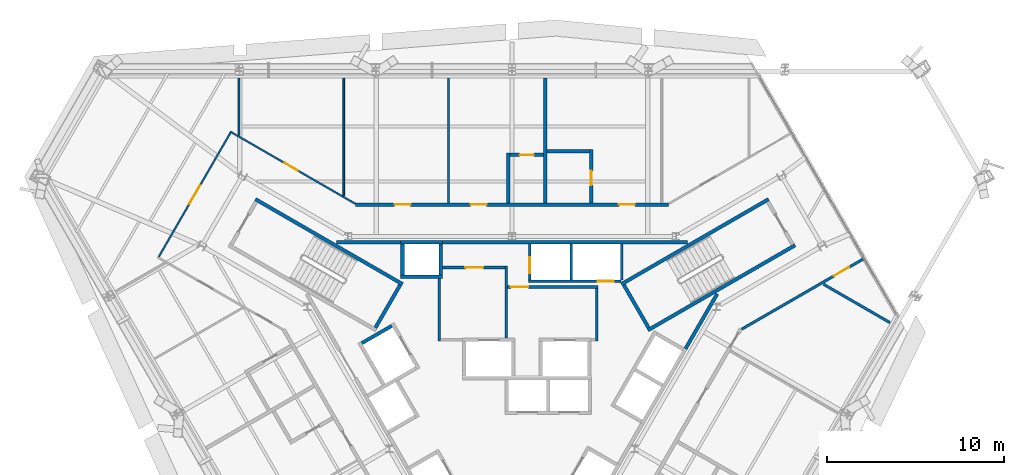
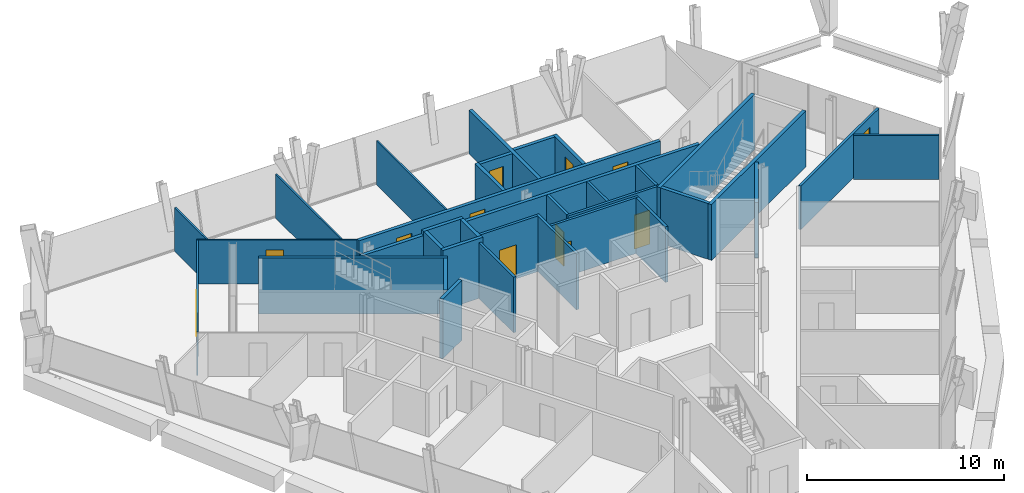
# One storey, part 9 of 12: 35 walls, 12 doors, 12 openings.
"""IFC4 building model written with IfcOpenShell, lengths in metres."""

from ifc_helpers import new_model, si_unit, direction, frame, frame_2d, origin, place, context, subcontext, project, spatial, rectangle, extrude, material, layer, layer_set, type_object, element, fill, save


model = new_model("IFC4")

# Units and contexts
model_context = context("Model", 3, precision=1e-05, world=origin(), true_north=direction((0.0, 1.0)))
body_context = subcontext(model_context, "Body", "Model", "MODEL_VIEW")
ifc_project = project(units=[si_unit("LENGTHUNIT", "METRE"), si_unit("AREAUNIT", "SQUARE_METRE"), si_unit("VOLUMEUNIT", "CUBIC_METRE"), si_unit("PLANEANGLEUNIT", "RADIAN"), si_unit("MASSUNIT", "GRAM", prefix="KILO")], contexts=[model_context])

# Site, building, storey
site_placement = place(None, origin())
site = spatial("IfcSite", under=ifc_project, at=site_placement, CompositionType="ELEMENT")
building_placement = place(site_placement, origin())
building = spatial("IfcBuilding", under=site, at=building_placement, Name="Verrane Prism Tower", CompositionType="ELEMENT")
storey_placement = place(building_placement, frame((0.0, 0.0, 174.699951171875)))
storey = spatial("IfcBuildingStorey", under=building, at=storey_placement, Name="L43", CompositionType="ELEMENT", Elevation=174.699951171875)

# Walls
ifc_material_1 = material(Name="Gypsum board partition", Category="other")
ifc_layer_1 = layer(ifc_material_1, 0.199951171875)
ifc_layer_set_1 = layer_set([ifc_layer_1], Name="CW-200 core boundary wall 2 h")
wall_type_1 = type_object("IfcWallType", Name="CW-200 core boundary wall 2 h", PredefinedType="PARTITIONING", material=ifc_layer_set_1)
wall_1_placement = place(storey_placement, frame((-9.907958984375, 7.659912109375, 0.0), z_axis=(0.0, 0.0, 1.0), x_axis=(1.0, 0.0, 0.0)))
element("IfcWall", 1, at=wall_1_placement, inside=storey, type_object=wall_type_1, Name="Core boundary wall CW3-002", PredefinedType="PARTITIONING", context=body_context, shape_type="SweptSolid", body=[
    extrude(rectangle(XDim=3.620849609375, YDim=0.199951171875, at=frame_2d((1.810546875, 0.0))), origin(), (0.0, 0.0, 1.0), 3.449951171875),
])
wall_2_placement = place(storey_placement, frame((-3.93310546875, 7.659912109375, 0.0), z_axis=(0.0, 0.0, 1.0), x_axis=(1.0, 0.0, 0.0)))
element("IfcWall", 2, at=wall_2_placement, inside=storey, type_object=wall_type_1, Name="Core boundary wall CW3-005", PredefinedType="PARTITIONING", context=body_context, shape_type="SweptSolid", body=[
    extrude(rectangle(XDim=13.841064453125, YDim=0.199951171875, at=frame_2d((6.92041015625, 0.0))), origin(), (0.0, 0.0, 1.0), 3.449951171875),
])
wall_3_placement = place(storey_placement, frame((9.802978515625, 1.657958984375, 0.0), z_axis=(0.0, 0.0, 1.0), x_axis=(0.499943114462, 0.866058244174, 0.0)))
element("IfcWall", 3, at=wall_3_placement, inside=storey, type_object=wall_type_1, Name="Core boundary wall CW3-008", PredefinedType="PARTITIONING", context=body_context, shape_type="SweptSolid", body=[
    extrude(rectangle(XDim=3.57568359375, YDim=0.199951171875, at=frame_2d((1.787841796875, 0.0))), origin(), (0.0, 0.0, 1.0), 3.449951171875),
])
ifc_material_2 = material(Name="Concrete C40/50", Category="concrete")
ifc_layer_2 = layer(ifc_material_2, 0.199951171875)
ifc_layer_set_2 = layer_set([ifc_layer_2], Name="CW-200 stair core wall concrete C40/50 3 h")
wall_type_2 = type_object("IfcWallType", Name="CW-200 stair core wall concrete C40/50 3 h", PredefinedType="PARTITIONING", material=ifc_layer_set_2)
for number, where, z_axis, x_axis, name in (
    (4, (6.17822265625, 5.299072265625, 0.0), (0.0, 0.0, 1.0), (0.866019993635, 0.500009370536, 0.0), "Stair 1 enclosure wall"),
    (5, (7.67822265625, 2.700927734375, 0.0), (0.0, 0.0, 1.0), (0.866019993635, 0.500009370536, 0.0), "Stair 1 enclosure wall"),
):
    element("IfcWall", number, at=place(storey_placement, frame(where, z_axis=z_axis, x_axis=x_axis)), inside=storey, type_object=wall_type_2, Name=name, PredefinedType="PARTITIONING", context=body_context, shape_type="SweptSolid", body=[
        extrude(rectangle(XDim=9.599853515625, YDim=0.199951171875, at=frame_2d((4.7998046875, 0.0))), origin(), (0.0, 0.0, 1.0), 3.449951171875),
    ])
wall_4_placement = place(storey_placement, frame((7.71484375, 2.837646484375, 0.0), z_axis=(0.0, 0.0, 1.0), x_axis=(-0.500049511043, 0.865996816683, 0.0)))
element("IfcWall", 6, at=wall_4_placement, inside=storey, type_object=wall_type_2, Name="Stair 1 enclosure wall", PredefinedType="PARTITIONING", context=body_context, shape_type="SweptSolid", body=[
    extrude(rectangle(XDim=2.800048828125, YDim=0.199951171875, at=frame_2d((1.39990234375, 0.0))), origin(), (0.0, 0.0, 1.0), 3.449951171875),
])
wall_5_placement = place(storey_placement, frame((-6.17822265625, 5.299072265625, 0.0), z_axis=(0.0, 0.0, 1.0), x_axis=(-0.866019993635, 0.500009370536, 0.0)))
element("IfcWall", 7, at=wall_5_placement, inside=storey, type_object=wall_type_2, Name="Stair 2 enclosure wall", PredefinedType="PARTITIONING", context=body_context, shape_type="SweptSolid", body=[
    extrude(rectangle(XDim=9.599853515625, YDim=0.199951171875, at=frame_2d((4.7998046875, 0.0))), origin(), (0.0, 0.0, 1.0), 3.449951171875),
])
wall_6_placement = place(storey_placement, frame((-6.314697265625, 5.262451171875, 0.0), z_axis=(0.0, 0.0, 1.0), x_axis=(-0.500049511043, -0.865996816683, 0.0)))
element("IfcWall", 8, at=wall_6_placement, inside=storey, type_object=wall_type_2, Name="Stair 2 enclosure wall", PredefinedType="PARTITIONING", context=body_context, shape_type="SweptSolid", body=[
    extrude(rectangle(XDim=2.800048828125, YDim=0.199951171875, at=frame_2d((1.39990234375, 0.0))), origin(), (0.0, 0.0, 1.0), 3.449951171875),
])
ifc_material_3 = material(Name="Gypsum board shaft wall assembly", Category="other")
ifc_layer_3 = layer(ifc_material_3, 0.199951171875)
ifc_layer_set_3 = layer_set([ifc_layer_3], Name="HW-200 lift shaft wall 2 h")
wall_type_3 = type_object("IfcWallType", Name="HW-200 lift shaft wall 2 h", PredefinedType="PARTITIONING", material=ifc_layer_set_3)
for number, where, z_axis, x_axis, name in (
    (9, (-6.284912109375, 5.7099609375, 0.0), (0.0, 0.0, 1.0), (1.0, 0.0, 0.0), "Lift shaft wall"),
    (10, (-6.284912109375, 7.659912109375, 0.0), (0.0, 0.0, 1.0), (1.0, 0.0, 0.0), "Lift shaft wall"),
):
    element("IfcWall", number, at=place(storey_placement, frame(where, z_axis=z_axis, x_axis=x_axis)), inside=storey, type_object=wall_type_3, Name=name, PredefinedType="PARTITIONING", context=body_context, shape_type="SweptSolid", body=[
        extrude(rectangle(XDim=2.349853515625, YDim=0.199951171875, at=frame_2d((1.1748046875, 0.0))), origin(), (0.0, 0.0, 1.0), 3.699951171875),
    ])
wall_7_placement = place(storey_placement, frame((-8.48046875, 1.968505859375, 0.0), z_axis=(0.0, 0.0, 1.0), x_axis=(0.866000020948, 0.500043961785, 0.0)))
element("IfcWall", 11, at=wall_7_placement, inside=storey, type_object=wall_type_3, Name="Lift shaft wall", PredefinedType="PARTITIONING", context=body_context, shape_type="SweptSolid", body=[
    extrude(rectangle(XDim=1.949951171875, YDim=0.199951171875, at=frame_2d((0.97509765625, 0.0))), origin(), (0.0, 0.0, 1.0), 3.699951171875),
])
for number, where, z_axis, x_axis, name in (
    (12, (-4.034912109375, 5.81005859375, 0.0), (0.0, 0.0, 1.0), (0.0, 1.0, 0.0), "Lift shaft wall"),
    (13, (-6.18505859375, 5.81005859375, 0.0), (0.0, 0.0, 1.0), (0.0, 1.0, 0.0), "Lift shaft wall"),
):
    element("IfcWall", number, at=place(storey_placement, frame(where, z_axis=z_axis, x_axis=x_axis)), inside=storey, type_object=wall_type_3, Name=name, PredefinedType="PARTITIONING", context=body_context, shape_type="SweptSolid", body=[
        extrude(rectangle(XDim=1.75, YDim=0.199951171875, at=frame_2d((0.875, 0.0))), origin(), (0.0, 0.0, 1.0), 3.699951171875),
    ])
ifc_material_4 = material(Name="Gypsum board partition", Category="other")
ifc_layer_4 = layer(ifc_material_4, 0.14990234375)
ifc_layer_set_4 = layer_set([ifc_layer_4], Name="LF-150 firefighting lobby wall 1 h")
wall_type_4 = type_object("IfcWallType", Name="LF-150 firefighting lobby wall 1 h", PredefinedType="PARTITIONING", material=ifc_layer_set_4)
wall_8_placement = place(storey_placement, frame((-4.10009765625, 2.0849609375, 0.0), z_axis=(0.0, 0.0, 1.0), x_axis=(0.0, 1.0, 0.0)))
element("IfcWall", 14, at=wall_8_placement, inside=storey, type_object=wall_type_4, Name="Firefighting lobby wall LF1-001", PredefinedType="PARTITIONING", context=body_context, shape_type="SweptSolid", body=[
    extrude(rectangle(XDim=3.52294921875, YDim=0.14990234375, at=frame_2d((1.761474609375, 0.0))), origin(), (0.0, 0.0, 1.0), 3.449951171875),
])

# Wall, opening, door
wall_9_placement = place(storey_placement, frame((-3.93310546875, 6.239990234375, 0.0), z_axis=(0.0, 0.0, 1.0), x_axis=(1.0, 0.0, 0.0)))
wall_9 = element("IfcWall", 15, at=wall_9_placement, inside=storey, type_object=wall_type_4, Name="Firefighting lobby wall LF1-003", PredefinedType="PARTITIONING", context=body_context, shape_type="SweptSolid", body=[
    extrude(rectangle(XDim=3.5380859375, YDim=0.14990234375, at=frame_2d((1.76904296875, 0.0))), origin(), (0.0, 0.0, 1.0), 3.449951171875),
])
opening_1_placement = place(wall_9_placement, frame((1.300048828125, 0.0, 0.0)))
opening_1 = element("IfcOpeningElement", 16, at=opening_1_placement, cuts=wall_9, Name="Opening D42512", PredefinedType="OPENING", context=body_context, shape_type="SweptSolid", body=[
    extrude(rectangle(XDim=1.0, YDim=2.10009765625, at=frame_2d((0.5, 1.050048828125))), frame((0.0, 0.0849609375, 0.0), z_axis=(0.0, -1.0, 0.0), x_axis=(1.0, 0.0, 0.0)), (0.0, 0.0, 1.0), 0.169921875),
])
ifc_material_5 = material(Name="Timber veneered door leaf", Category="wood")
door_type_1 = type_object("IfcDoorType", Name="DR-1000x2100 FD60 single leaf firefighting lobby", OperationType="NOTDEFINED", PredefinedType="DOOR", material=ifc_material_5)
door_1_placement = place(opening_1_placement, origin())
door_1 = element("IfcDoor", 17, at=door_1_placement, inside=storey, type_object=door_type_1, Name="Firefighting lobby door D42512", OperationType="SINGLE_SWING_LEFT", OverallHeight=2.10009765625, OverallWidth=1.0, PredefinedType="DOOR", context=body_context, shape_type="SweptSolid", body=[
    extrude(rectangle(XDim=1.0, YDim=2.10009765625, at=frame_2d((0.5, 1.050048828125))), frame((0.0, 0.02490234375, 0.0), z_axis=(0.0, -1.0, 0.0), x_axis=(1.0, 0.0, 0.0)), (0.0, 0.0, 1.0), 0.050048828125),
])
fill(opening_1, door_1)

# Wall
wall_10_placement = place(storey_placement, frame((-0.320068359375, 2.251953125, 0.0), z_axis=(0.0, 0.0, 1.0), x_axis=(0.0, 1.0, 0.0)))
element("IfcWall", 18, at=wall_10_placement, inside=storey, type_object=wall_type_4, Name="Firefighting lobby wall LF1-004", PredefinedType="PARTITIONING", context=body_context, shape_type="SweptSolid", body=[
    extrude(rectangle(XDim=4.06298828125, YDim=0.14990234375, at=frame_2d((2.031494140625, 0.0))), origin(), (0.0, 0.0, 1.0), 3.449951171875),
])

# Wall, opening, door
wall_11_placement = place(storey_placement, frame((-0.2451171875, 5.139892578125, 0.0), z_axis=(0.0, 0.0, 1.0), x_axis=(1.0, 0.0, 0.0)))
wall_11 = element("IfcWall", 19, at=wall_11_placement, inside=storey, type_object=wall_type_4, Name="Firefighting lobby wall LF1-005", PredefinedType="PARTITIONING", context=body_context, shape_type="SweptSolid", body=[
    extrude(rectangle(XDim=5.110107421875, YDim=0.14990234375, at=frame_2d((2.55517578125, 0.0))), origin(), (0.0, 0.0, 1.0), 3.449951171875),
])
opening_2_placement = place(wall_11_placement, frame((0.175048828125, 0.0, 0.0)))
opening_2 = element("IfcOpeningElement", 20, at=opening_2_placement, cuts=wall_11, Name="Opening D42513", PredefinedType="OPENING", context=body_context, shape_type="SweptSolid", body=[
    extrude(rectangle(XDim=1.0, YDim=2.10009765625, at=frame_2d((0.5, 1.050048828125))), frame((0.0, 0.0849609375, 0.0), z_axis=(0.0, -1.0, 0.0), x_axis=(1.0, 0.0, 0.0)), (0.0, 0.0, 1.0), 0.169921875),
])
door_2_placement = place(opening_2_placement, origin())
door_2 = element("IfcDoor", 21, at=door_2_placement, inside=storey, type_object=door_type_1, Name="Firefighting lobby door D42513", OperationType="SINGLE_SWING_LEFT", OverallHeight=2.10009765625, OverallWidth=1.0, PredefinedType="DOOR", context=body_context, shape_type="SweptSolid", body=[
    extrude(rectangle(XDim=1.0, YDim=2.10009765625, at=frame_2d((0.5, 1.050048828125))), frame((0.0, 0.02490234375, 0.0), z_axis=(0.0, -1.0, 0.0), x_axis=(1.0, 0.0, 0.0)), (0.0, 0.0, 1.0), 0.050048828125),
])
fill(opening_2, door_2)

# Wall
wall_12_placement = place(storey_placement, frame((4.7900390625, 2.0849609375, 0.0), z_axis=(0.0, 0.0, 1.0), x_axis=(0.0, 1.0, 0.0)))
element("IfcWall", 22, at=wall_12_placement, inside=storey, type_object=wall_type_4, Name="Firefighting lobby wall LF1-007", PredefinedType="PARTITIONING", context=body_context, shape_type="SweptSolid", body=[
    extrude(rectangle(XDim=2.97998046875, YDim=0.14990234375, at=frame_2d((1.489990234375, 0.0))), origin(), (0.0, 0.0, 1.0), 3.449951171875),
])

# Wall, opening, door
ifc_material_6 = material(Name="Gypsum board partition", Category="other")
ifc_layer_5 = layer(ifc_material_6, 0.10009765625)
ifc_layer_set_5 = layer_set([ifc_layer_5], Name="PW-100 room partition")
wall_type_5 = type_object("IfcWallType", Name="PW-100 room partition", PredefinedType="PARTITIONING", material=ifc_layer_set_5)
wall_13_placement = place(storey_placement, frame((-19.955078125, 6.84423828125, 0.0), z_axis=(0.0, 0.0, 1.0), x_axis=(0.500415732313, 0.865785247537, 0.0)))
wall_13 = element("IfcWall", 23, at=wall_13_placement, inside=storey, type_object=wall_type_5, Name="Room partition 003", PredefinedType="PARTITIONING", context=body_context, shape_type="SweptSolid", body=[
    extrude(rectangle(XDim=8.09716796875, YDim=0.10009765625, at=frame_2d((4.048583984375, 0.0))), origin(), (0.0, 0.0, 1.0), 2.713134765625),
])
opening_3_placement = place(wall_13_placement, frame((3.449951171875, 0.0, 0.0)))
opening_3 = element("IfcOpeningElement", 24, at=opening_3_placement, cuts=wall_13, Name="Opening D42009", PredefinedType="OPENING", context=body_context, shape_type="SweptSolid", body=[
    extrude(rectangle(XDim=1.199951171875, YDim=2.10009765625, at=frame_2d((0.60009765625, 1.050048828125))), frame((0.0, 0.06005859375, 0.0), z_axis=(0.0, -1.0, 0.0), x_axis=(1.0, 0.0, 0.0)), (0.0, 0.0, 1.0), 0.1201171875),
])
ifc_material_7 = material(Name="Timber veneered door leaf", Category="wood")
door_type_2 = type_object("IfcDoorType", Name="DR-1200x2100 single leaf unit", OperationType="NOTDEFINED", PredefinedType="DOOR", material=ifc_material_7)
door_3_placement = place(opening_3_placement, origin())
door_3 = element("IfcDoor", 25, at=door_3_placement, inside=storey, type_object=door_type_2, Name="Living And Dining Room door", OperationType="SINGLE_SWING_LEFT", OverallHeight=2.10009765625, OverallWidth=1.199951171875, PredefinedType="DOOR", context=body_context, shape_type="SweptSolid", body=[
    extrude(rectangle(XDim=1.199951171875, YDim=2.10009765625, at=frame_2d((0.60009765625, 1.050048828125))), frame((0.0, 0.02490234375, 0.0), z_axis=(0.0, -1.0, 0.0), x_axis=(1.0, 0.0, 0.0)), (0.0, 0.0, 1.0), 0.050048828125),
])
fill(opening_3, door_3)

wall_14_placement = place(storey_placement, frame((-15.92138671875, 13.923095703125, 0.0), z_axis=(0.0, 0.0, 1.0), x_axis=(0.866088973199, -0.499889878377, 0.0)))
wall_14 = element("IfcWall", 26, at=wall_14_placement, inside=storey, type_object=wall_type_5, Name="Room partition 006", PredefinedType="PARTITIONING", context=body_context, shape_type="SweptSolid", body=[
    extrude(rectangle(XDim=8.162841796875, YDim=0.10009765625, at=frame_2d((4.08154296875, 0.0))), origin(), (0.0, 0.0, 1.0), 2.713134765625),
])
opening_4_placement = place(wall_14_placement, frame((3.531982421875, 0.0, 0.0)))
opening_4 = element("IfcOpeningElement", 27, at=opening_4_placement, cuts=wall_14, Name="Opening D42008", PredefinedType="OPENING", context=body_context, shape_type="SweptSolid", body=[
    extrude(rectangle(XDim=0.89990234375, YDim=2.10009765625, at=frame_2d((0.449951171875, 1.050048828125))), frame((0.0, 0.06005859375, 0.0), z_axis=(0.0, -1.0, 0.0), x_axis=(1.0, 0.0, 0.0)), (0.0, 0.0, 1.0), 0.1201171875),
])
ifc_material_8 = material(Name="Timber veneered door leaf", Category="wood")
door_type_3 = type_object("IfcDoorType", Name="DR-900x2100 single leaf unit", OperationType="NOTDEFINED", PredefinedType="DOOR", material=ifc_material_8)
door_4_placement = place(opening_4_placement, origin())
door_4 = element("IfcDoor", 28, at=door_4_placement, inside=storey, type_object=door_type_3, Name="Study door", OperationType="SINGLE_SWING_RIGHT", OverallHeight=2.10009765625, OverallWidth=0.89990234375, PredefinedType="DOOR", context=body_context, shape_type="SweptSolid", body=[
    extrude(rectangle(XDim=0.89990234375, YDim=2.10009765625, at=frame_2d((0.449951171875, 1.050048828125))), frame((0.0, 0.02490234375, 0.0), z_axis=(0.0, -1.0, 0.0), x_axis=(1.0, 0.0, 0.0)), (0.0, 0.0, 1.0), 0.050048828125),
])
fill(opening_4, door_4)

# Walls
wall_15_placement = place(storey_placement, frame((-15.4169921875, 13.718505859375, 0.0), z_axis=(0.0, 0.0, 1.0), x_axis=(0.0, 1.0, 0.0)))
element("IfcWall", 29, at=wall_15_placement, inside=storey, type_object=wall_type_5, Name="Room partition 007", PredefinedType="PARTITIONING", context=body_context, shape_type="SweptSolid", body=[
    extrude(rectangle(XDim=3.216552734375, YDim=0.10009765625, at=frame_2d((1.6083984375, 0.0))), origin(), (0.0, 0.0, 1.0), 2.713134765625),
])
wall_16_placement = place(storey_placement, frame((-9.5029296875, 10.3056640625, 0.0), z_axis=(0.0, 0.0, 1.0), x_axis=(0.0, 1.0, 0.0)))
element("IfcWall", 30, at=wall_16_placement, inside=storey, type_object=wall_type_5, Name="Room partition 016", PredefinedType="PARTITIONING", context=body_context, shape_type="SweptSolid", body=[
    extrude(rectangle(XDim=6.62939453125, YDim=0.10009765625, at=frame_2d((3.314697265625, 0.0))), origin(), (0.0, 0.0, 1.0), 2.713134765625),
])
wall_17_placement = place(storey_placement, frame((-3.590087890625, 9.89990234375, 0.0), z_axis=(0.0, 0.0, 1.0), x_axis=(0.0, 1.0, 0.0)))
element("IfcWall", 31, at=wall_17_placement, inside=storey, type_object=wall_type_5, Name="Room partition 021", PredefinedType="PARTITIONING", context=body_context, shape_type="SweptSolid", body=[
    extrude(rectangle(XDim=7.03515625, YDim=0.10009765625, at=frame_2d((3.517578125, 0.0))), origin(), (0.0, 0.0, 1.0), 2.713134765625),
])

# Wall, opening, door
ifc_material_9 = material(Name="Gypsum board partition", Category="other")
ifc_layer_6 = layer(ifc_material_9, 0.14990234375)
ifc_layer_set_6 = layer_set([ifc_layer_6], Name="PW-150 demising wall 1 h")
wall_type_6 = type_object("IfcWallType", Name="PW-150 demising wall 1 h", PredefinedType="PARTITIONING", material=ifc_layer_set_6)
wall_18_placement = place(storey_placement, frame((19.8466796875, 6.724609375, 0.0), z_axis=(0.0, 0.0, 1.0), x_axis=(-0.866069747624, -0.499923186351, 0.0)))
wall_18 = element("IfcWall", 32, at=wall_18_placement, inside=storey, type_object=wall_type_6, Name="Demising wall 040", PredefinedType="PARTITIONING", context=body_context, shape_type="SweptSolid", body=[
    extrude(rectangle(XDim=7.931396484375, YDim=0.14990234375, at=frame_2d((3.9658203125, 0.0))), origin(), (0.0, 0.0, 1.0), 2.713134765625),
])
opening_5_placement = place(wall_18_placement, frame((0.92822265625, 0.0, 0.0)))
opening_5 = element("IfcOpeningElement", 33, at=opening_5_placement, cuts=wall_18, Name="Opening D42026", PredefinedType="OPENING", context=body_context, shape_type="SweptSolid", body=[
    extrude(rectangle(XDim=1.0, YDim=2.10009765625, at=frame_2d((0.5, 1.050048828125))), frame((0.0, 0.0849609375, 0.0), z_axis=(0.0, -1.0, 0.0), x_axis=(1.0, 0.0, 0.0)), (0.0, 0.0, 1.0), 0.169921875),
])
ifc_material_10 = material(Name="Timber veneered door leaf", Category="wood")
door_type_4 = type_object("IfcDoorType", Name="DR-1000x2100 FD20 single leaf public", OperationType="NOTDEFINED", PredefinedType="DOOR", material=ifc_material_10)
door_5_placement = place(opening_5_placement, origin())
door_5 = element("IfcDoor", 34, at=door_5_placement, inside=storey, type_object=door_type_4, Name="Sky Garden Lounge door", OperationType="SINGLE_SWING_LEFT", OverallHeight=2.10009765625, OverallWidth=1.0, PredefinedType="DOOR", context=body_context, shape_type="SweptSolid", body=[
    extrude(rectangle(XDim=1.0, YDim=2.10009765625, at=frame_2d((0.5, 1.050048828125))), frame((0.0, 0.02490234375, 0.0), z_axis=(0.0, -1.0, 0.0), x_axis=(1.0, 0.0, 0.0)), (0.0, 0.0, 1.0), 0.050048828125),
])
fill(opening_5, door_5)

# Wall
wall_19_placement = place(storey_placement, frame((17.596435546875, 5.296142578125, 0.0), z_axis=(0.0, 0.0, 1.0), x_axis=(0.866038665277, -0.499977029717, 0.0)))
element("IfcWall", 35, at=wall_19_placement, inside=storey, type_object=wall_type_6, Name="Demising wall 042", PredefinedType="PARTITIONING", context=body_context, shape_type="SweptSolid", body=[
    extrude(rectangle(XDim=4.344482421875, YDim=0.14990234375, at=frame_2d((2.17236328125, 0.0))), origin(), (0.0, 0.0, 1.0), 2.713134765625),
])

# Wall, openings, doors
ifc_material_11 = material(Name="Gypsum board partition", Category="other")
ifc_layer_7 = layer(ifc_material_11, 0.199951171875)
ifc_layer_set_7 = layer_set([ifc_layer_7], Name="PW-200 plumbing wall")
wall_type_7 = type_object("IfcWallType", Name="PW-200 plumbing wall", PredefinedType="PARTITIONING", material=ifc_layer_set_7)
wall_20_placement = place(storey_placement, frame((-8.827880859375, 9.800048828125, 0.0), z_axis=(0.0, 0.0, 1.0), x_axis=(1.0, 0.0, 0.0)))
wall_20 = element("IfcWall", 36, at=wall_20_placement, inside=storey, type_object=wall_type_7, Name="Plumbing wall 017", PredefinedType="PARTITIONING", context=body_context, shape_type="SweptSolid", body=[
    extrude(rectangle(XDim=17.65576171875, YDim=0.199951171875, at=frame_2d((8.827880859375, 0.0))), origin(), (0.0, 0.0, 1.0), 2.713134765625),
])
opening_6_placement = place(wall_20_placement, frame((14.864013671875, 0.0, 0.0)))
opening_6 = element("IfcOpeningElement", 37, at=opening_6_placement, cuts=wall_20, Name="Opening D42003", PredefinedType="OPENING", context=body_context, shape_type="SweptSolid", body=[
    extrude(rectangle(XDim=0.89990234375, YDim=2.10009765625, at=frame_2d((0.449951171875, 1.050048828125))), frame((0.0, 0.10986328125, 0.0), z_axis=(0.0, -1.0, 0.0), x_axis=(1.0, 0.0, 0.0)), (0.0, 0.0, 1.0), 0.219970703125),
])
opening_7_placement = place(wall_20_placement, frame((6.488037109375, 0.0, 0.0)))
opening_7 = element("IfcOpeningElement", 38, at=opening_7_placement, cuts=wall_20, Name="Opening D42005", PredefinedType="OPENING", context=body_context, shape_type="SweptSolid", body=[
    extrude(rectangle(XDim=0.89990234375, YDim=2.10009765625, at=frame_2d((0.449951171875, 1.050048828125))), frame((0.0, 0.10986328125, 0.0), z_axis=(0.0, -1.0, 0.0), x_axis=(1.0, 0.0, 0.0)), (0.0, 0.0, 1.0), 0.219970703125),
])
opening_8_placement = place(wall_20_placement, frame((2.199951171875, 0.0, 0.0)))
opening_8 = element("IfcOpeningElement", 39, at=opening_8_placement, cuts=wall_20, Name="Opening D42007", PredefinedType="OPENING", context=body_context, shape_type="SweptSolid", body=[
    extrude(rectangle(XDim=0.89990234375, YDim=2.10009765625, at=frame_2d((0.449951171875, 1.050048828125))), frame((0.0, 0.10986328125, 0.0), z_axis=(0.0, -1.0, 0.0), x_axis=(1.0, 0.0, 0.0)), (0.0, 0.0, 1.0), 0.219970703125),
])
ifc_material_12 = material(Name="Timber veneered door leaf", Category="wood")
door_type_5 = type_object("IfcDoorType", Name="DR-900x2100 single leaf inner", OperationType="NOTDEFINED", PredefinedType="DOOR", material=ifc_material_12)
door_6_placement = place(opening_6_placement, origin())
door_6 = element("IfcDoor", 40, at=door_6_placement, inside=storey, type_object=door_type_5, Name="Master Bedroom door", OperationType="SINGLE_SWING_LEFT", OverallHeight=2.10009765625, OverallWidth=0.89990234375, PredefinedType="DOOR", context=body_context, shape_type="SweptSolid", body=[
    extrude(rectangle(XDim=0.89990234375, YDim=2.10009765625, at=frame_2d((0.449951171875, 1.050048828125))), frame((0.0, 0.02490234375, 0.0), z_axis=(0.0, -1.0, 0.0), x_axis=(1.0, 0.0, 0.0)), (0.0, 0.0, 1.0), 0.050048828125),
])
fill(opening_6, door_6)
door_7_placement = place(opening_7_placement, origin())
door_7 = element("IfcDoor", 41, at=door_7_placement, inside=storey, type_object=door_type_5, Name="Bedroom door", OperationType="SINGLE_SWING_LEFT", OverallHeight=2.10009765625, OverallWidth=0.89990234375, PredefinedType="DOOR", context=body_context, shape_type="SweptSolid", body=[
    extrude(rectangle(XDim=0.89990234375, YDim=2.10009765625, at=frame_2d((0.449951171875, 1.050048828125))), frame((0.0, 0.02490234375, 0.0), z_axis=(0.0, -1.0, 0.0), x_axis=(1.0, 0.0, 0.0)), (0.0, 0.0, 1.0), 0.050048828125),
])
fill(opening_7, door_7)
door_8_placement = place(opening_8_placement, origin())
door_8 = element("IfcDoor", 42, at=door_8_placement, inside=storey, type_object=door_type_3, Name="Study door", OperationType="SINGLE_SWING_LEFT", OverallHeight=2.10009765625, OverallWidth=0.89990234375, PredefinedType="DOOR", context=body_context, shape_type="SweptSolid", body=[
    extrude(rectangle(XDim=0.89990234375, YDim=2.10009765625, at=frame_2d((0.449951171875, 1.050048828125))), frame((0.0, 0.02490234375, 0.0), z_axis=(0.0, -1.0, 0.0), x_axis=(1.0, 0.0, 0.0)), (0.0, 0.0, 1.0), 0.050048828125),
])
fill(opening_8, door_8)

# Wall
wall_21_placement = place(storey_placement, frame((-0.214111328125, 9.89990234375, 0.0), z_axis=(0.0, 0.0, 1.0), x_axis=(0.0, 1.0, 0.0)))
element("IfcWall", 43, at=wall_21_placement, inside=storey, type_object=wall_type_7, Name="Plumbing wall 022", PredefinedType="PARTITIONING", context=body_context, shape_type="SweptSolid", body=[
    extrude(rectangle(XDim=2.800048828125, YDim=0.199951171875, at=frame_2d((1.39990234375, 0.0))), origin(), (0.0, 0.0, 1.0), 2.713134765625),
])

# Wall, opening, door
wall_22_placement = place(storey_placement, frame((1.785888671875, 12.60009765625, 0.0), z_axis=(0.0, 0.0, 1.0), x_axis=(-1.0, 0.0, 0.0)))
wall_22 = element("IfcWall", 44, at=wall_22_placement, inside=storey, type_object=wall_type_7, Name="Plumbing wall 023", PredefinedType="PARTITIONING", context=body_context, shape_type="SweptSolid", body=[
    extrude(rectangle(XDim=1.89990234375, YDim=0.199951171875, at=frame_2d((0.949951171875, 0.0))), origin(), (0.0, 0.0, 1.0), 2.713134765625),
])
opening_9_placement = place(wall_22_placement, frame((0.550048828125, 0.0, 0.0)))
opening_9 = element("IfcOpeningElement", 45, at=opening_9_placement, cuts=wall_22, Name="Opening D42006", PredefinedType="OPENING", context=body_context, shape_type="SweptSolid", body=[
    extrude(rectangle(XDim=0.800048828125, YDim=2.10009765625, at=frame_2d((0.39990234375, 1.050048828125))), frame((0.0, 0.10986328125, 0.0), z_axis=(0.0, -1.0, 0.0), x_axis=(1.0, 0.0, 0.0)), (0.0, 0.0, 1.0), 0.219970703125),
])
ifc_material_13 = material(Name="Timber veneered door leaf", Category="wood")
door_type_6 = type_object("IfcDoorType", Name="DR-800x2100 single leaf bath", OperationType="NOTDEFINED", PredefinedType="DOOR", material=ifc_material_13)
door_9_placement = place(opening_9_placement, origin())
door_9 = element("IfcDoor", 46, at=door_9_placement, inside=storey, type_object=door_type_6, Name="Bathroom door", OperationType="SINGLE_SWING_LEFT", OverallHeight=2.10009765625, OverallWidth=0.800048828125, PredefinedType="DOOR", context=body_context, shape_type="SweptSolid", body=[
    extrude(rectangle(XDim=0.800048828125, YDim=2.10009765625, at=frame_2d((0.39990234375, 1.050048828125))), frame((0.0, 0.02490234375, 0.0), z_axis=(0.0, -1.0, 0.0), x_axis=(1.0, 0.0, 0.0)), (0.0, 0.0, 1.0), 0.050048828125),
])
fill(opening_9, door_9)

# Walls
wall_23_placement = place(storey_placement, frame((1.885986328125, 9.89990234375, 0.0), z_axis=(0.0, 0.0, 1.0), x_axis=(0.0, 1.0, 0.0)))
element("IfcWall", 47, at=wall_23_placement, inside=storey, type_object=wall_type_7, Name="Plumbing wall 024", PredefinedType="PARTITIONING", context=body_context, shape_type="SweptSolid", body=[
    extrude(rectangle(XDim=7.03515625, YDim=0.199951171875, at=frame_2d((3.517578125, 0.0))), origin(), (0.0, 0.0, 1.0), 2.713134765625),
])
wall_24_placement = place(storey_placement, frame((1.986083984375, 12.800048828125, 0.0), z_axis=(0.0, 0.0, 1.0), x_axis=(1.0, 0.0, 0.0)))
element("IfcWall", 48, at=wall_24_placement, inside=storey, type_object=wall_type_7, Name="Plumbing wall 025", PredefinedType="PARTITIONING", context=body_context, shape_type="SweptSolid", body=[
    extrude(rectangle(XDim=2.39990234375, YDim=0.199951171875, at=frame_2d((1.199951171875, 0.0))), origin(), (0.0, 0.0, 1.0), 2.713134765625),
])

# Wall, opening, door
wall_25_placement = place(storey_placement, frame((4.486083984375, 9.89990234375, 0.0), z_axis=(0.0, 0.0, 1.0), x_axis=(0.0, 1.0, 0.0)))
wall_25 = element("IfcWall", 49, at=wall_25_placement, inside=storey, type_object=wall_type_7, Name="Plumbing wall 030", PredefinedType="PARTITIONING", context=body_context, shape_type="SweptSolid", body=[
    extrude(rectangle(XDim=3.0, YDim=0.199951171875, at=frame_2d((1.5, 0.0))), origin(), (0.0, 0.0, 1.0), 2.713134765625),
])
opening_10_placement = place(wall_25_placement, frame((1.0, 0.0, 0.0)))
opening_10 = element("IfcOpeningElement", 50, at=opening_10_placement, cuts=wall_25, Name="Opening D42004", PredefinedType="OPENING", context=body_context, shape_type="SweptSolid", body=[
    extrude(rectangle(XDim=0.800048828125, YDim=2.10009765625, at=frame_2d((0.39990234375, 1.050048828125))), frame((0.0, 0.10986328125, 0.0), z_axis=(0.0, -1.0, 0.0), x_axis=(1.0, 0.0, 0.0)), (0.0, 0.0, 1.0), 0.219970703125),
])
door_10_placement = place(opening_10_placement, origin())
door_10 = element("IfcDoor", 51, at=door_10_placement, inside=storey, type_object=door_type_6, Name="Master Bathroom door", OperationType="SINGLE_SWING_RIGHT", OverallHeight=2.10009765625, OverallWidth=0.800048828125, PredefinedType="DOOR", context=body_context, shape_type="SweptSolid", body=[
    extrude(rectangle(XDim=0.800048828125, YDim=2.10009765625, at=frame_2d((0.39990234375, 1.050048828125))), frame((0.0, 0.02490234375, 0.0), z_axis=(0.0, -1.0, 0.0), x_axis=(1.0, 0.0, 0.0)), (0.0, 0.0, 1.0), 0.050048828125),
])
fill(opening_10, door_10)

ifc_material_14 = material(Name="Gypsum board partition", Category="other")
ifc_layer_8 = layer(ifc_material_14, 0.14990234375)
ifc_layer_set_8 = layer_set([ifc_layer_8], Name="RS-150 riser enclosure wall 1 h")
wall_type_8 = type_object("IfcWallType", Name="RS-150 riser enclosure wall 1 h", PredefinedType="PARTITIONING", material=ifc_layer_set_8)
wall_26_placement = place(storey_placement, frame((1.0, 7.56005859375, 0.0), z_axis=(0.0, 0.0, 1.0), x_axis=(0.0, -1.0, 0.0)))
wall_26 = element("IfcWall", 52, at=wall_26_placement, inside=storey, type_object=wall_type_8, Name="Riser wall RS3-003", PredefinedType="PARTITIONING", context=body_context, shape_type="SweptSolid", body=[
    extrude(rectangle(XDim=2.025146484375, YDim=0.14990234375, at=frame_2d((1.0126953125, 0.0))), origin(), (0.0, 0.0, 1.0), 3.449951171875),
])
opening_11_placement = place(wall_26_placement, frame((0.75, 0.0, 0.0)))
opening_11 = element("IfcOpeningElement", 53, at=opening_11_placement, cuts=wall_26, Name="Opening D42514", PredefinedType="OPENING", context=body_context, shape_type="SweptSolid", body=[
    extrude(rectangle(XDim=0.89990234375, YDim=2.10009765625, at=frame_2d((0.449951171875, 1.050048828125))), frame((0.0, 0.0849609375, 0.0), z_axis=(0.0, -1.0, 0.0), x_axis=(1.0, 0.0, 0.0)), (0.0, 0.0, 1.0), 0.169921875),
])
ifc_material_15 = material(Name="Timber veneered door leaf", Category="wood")
door_type_7 = type_object("IfcDoorType", Name="DR-900x2100 FD60 single leaf riser", OperationType="NOTDEFINED", PredefinedType="DOOR", material=ifc_material_15)
door_11_placement = place(opening_11_placement, origin())
door_11 = element("IfcDoor", 54, at=door_11_placement, inside=storey, type_object=door_type_7, Name="Riser door D42514", OperationType="SINGLE_SWING_RIGHT", OverallHeight=2.10009765625, OverallWidth=0.89990234375, PredefinedType="DOOR", context=body_context, shape_type="SweptSolid", body=[
    extrude(rectangle(XDim=0.89990234375, YDim=2.10009765625, at=frame_2d((0.449951171875, 1.050048828125))), frame((0.0, 0.02490234375, 0.0), z_axis=(0.0, -1.0, 0.0), x_axis=(1.0, 0.0, 0.0)), (0.0, 0.0, 1.0), 0.050048828125),
])
fill(opening_11, door_11)

wall_27_placement = place(storey_placement, frame((0.925048828125, 5.4599609375, 0.0), z_axis=(0.0, 0.0, 1.0), x_axis=(1.0, 0.0, 0.0)))
wall_27 = element("IfcWall", 55, at=wall_27_placement, inside=storey, type_object=wall_type_8, Name="Riser wall RS3-004", PredefinedType="PARTITIONING", context=body_context, shape_type="SweptSolid", body=[
    extrude(rectangle(XDim=5.219970703125, YDim=0.14990234375, at=frame_2d((2.60986328125, 0.0))), origin(), (0.0, 0.0, 1.0), 3.449951171875),
])
opening_12_placement = place(wall_27_placement, frame((3.9150390625, 0.0, 0.0)))
opening_12 = element("IfcOpeningElement", 56, at=opening_12_placement, cuts=wall_27, Name="Opening D42515", PredefinedType="OPENING", context=body_context, shape_type="SweptSolid", body=[
    extrude(rectangle(XDim=0.89990234375, YDim=2.10009765625, at=frame_2d((0.449951171875, 1.050048828125))), frame((0.0, 0.0849609375, 0.0), z_axis=(0.0, -1.0, 0.0), x_axis=(1.0, 0.0, 0.0)), (0.0, 0.0, 1.0), 0.169921875),
])
door_12_placement = place(opening_12_placement, origin())
door_12 = element("IfcDoor", 57, at=door_12_placement, inside=storey, type_object=door_type_7, Name="Riser door D42515", OperationType="SINGLE_SWING_RIGHT", OverallHeight=2.10009765625, OverallWidth=0.89990234375, PredefinedType="DOOR", context=body_context, shape_type="SweptSolid", body=[
    extrude(rectangle(XDim=0.89990234375, YDim=2.10009765625, at=frame_2d((0.449951171875, 1.050048828125))), frame((0.0, 0.02490234375, 0.0), z_axis=(0.0, -1.0, 0.0), x_axis=(1.0, 0.0, 0.0)), (0.0, 0.0, 1.0), 0.050048828125),
])
fill(opening_12, door_12)

# Walls
for number, where, z_axis, x_axis, name in (
    (58, (3.340087890625, 5.534912109375, 0.0), (0.0, 0.0, 1.0), (0.0, 1.0, 0.0), "Riser wall RS3-005"),
    (59, (6.199951171875, 5.534912109375, 0.0), (0.0, 0.0, 1.0), (0.0, 1.0, 0.0), "Riser wall RS3-006"),
):
    element("IfcWall", number, at=place(storey_placement, frame(where, z_axis=z_axis, x_axis=x_axis)), inside=storey, type_object=wall_type_8, Name=name, PredefinedType="PARTITIONING", context=body_context, shape_type="SweptSolid", body=[
        extrude(rectangle(XDim=2.025146484375, YDim=0.14990234375, at=frame_2d((1.0126953125, 0.0))), origin(), (0.0, 0.0, 1.0), 3.449951171875),
    ])

save(model, "model.ifc")
